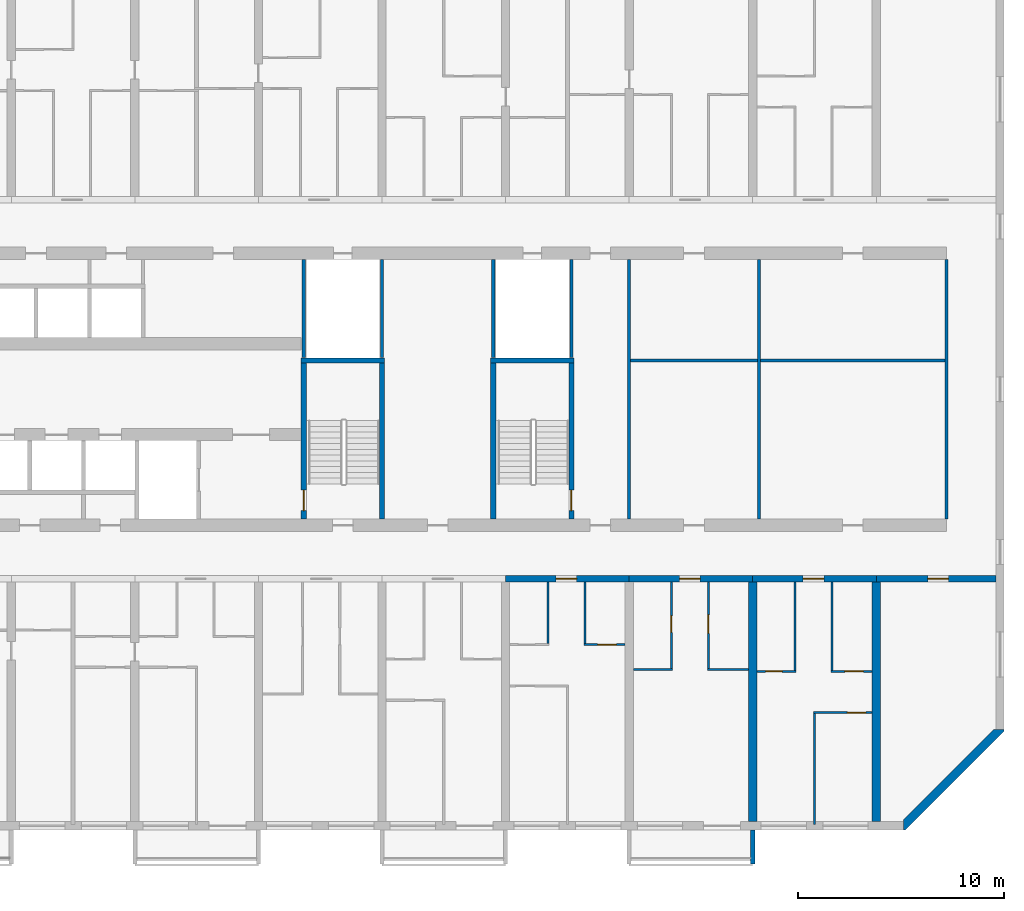
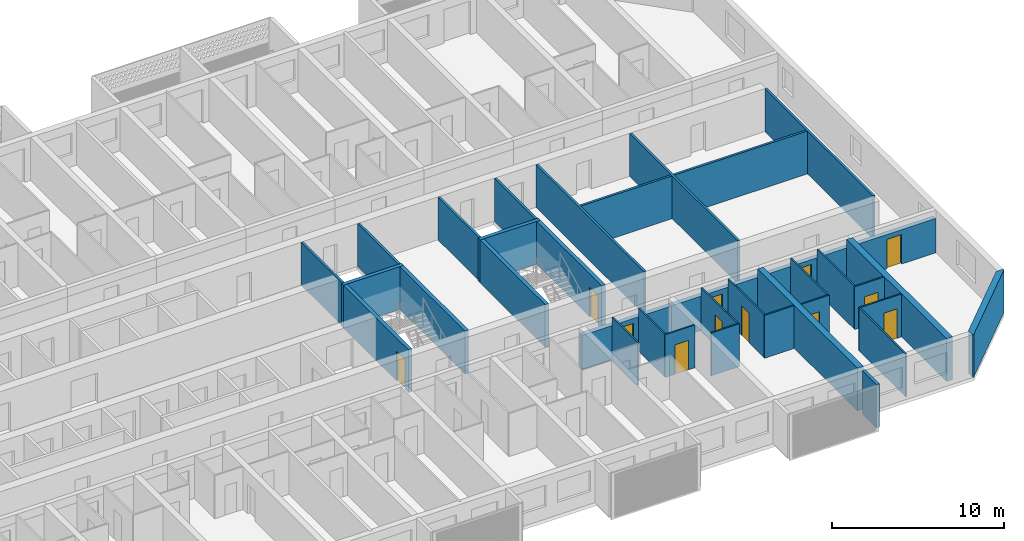
# One storey, part 15 of 38: 35 walls, 12 doors, 12 openings.
"""IFC4 building model written with IfcOpenShell, lengths in metres."""

from ifc_helpers import new_model, si_unit, direction, frame, frame_2d, origin, place, context, subcontext, project, spatial, polyline, rectangle, outline, extrude, source, transform, mapped, material, layer, layer_set, type_object, element, fill, save


model = new_model("IFC4")

# Units and contexts
model_context = context("Model", 3, precision=1e-05, world=origin(), true_north=direction((0.0, 1.0)))
body_context = subcontext(model_context, "Body", "Model", "MODEL_VIEW")
ifc_project = project(units=[si_unit("LENGTHUNIT", "METRE"), si_unit("AREAUNIT", "SQUARE_METRE"), si_unit("VOLUMEUNIT", "CUBIC_METRE"), si_unit("PLANEANGLEUNIT", "RADIAN"), si_unit("MASSUNIT", "GRAM", prefix="KILO")], contexts=[model_context])

# Site, building, storey
site_placement = place(None, origin())
site = spatial("IfcSite", under=ifc_project, at=site_placement, CompositionType="ELEMENT")
building_placement = place(site_placement, origin())
building = spatial("IfcBuilding", under=site, at=building_placement, Name="Poui Terraces", CompositionType="ELEMENT")
storey_placement = place(building_placement, frame((0.0, 0.0, 46.5)))
storey = spatial("IfcBuildingStorey", under=building, at=storey_placement, Name="L12", CompositionType="ELEMENT", Elevation=46.5)

# Walls
ifc_material_1 = material(Name="Fire-rated plasterboard wall")
ifc_layer_1 = layer(ifc_material_1, 0.14990234375)
ifc_layer_set_1 = layer_set([ifc_layer_1], Name="Fire-rated plasterboard wall")
wall_type_1 = type_object("IfcWallType", Name="CORRIDOR WALL 150", PredefinedType="PARTITIONING", material=ifc_layer_set_1)
for number, where, z_axis, x_axis, name in (
    (1, (84.0, 14.909912109375, 0.0), (0.0, 0.0, 1.0), (0.0, 1.0, 0.0), "CORRIDOR WALL 150"),
    (2, (99.39990234375, 14.909912109375, 0.0), (0.0, 0.0, 1.0), (0.0, 1.0, 0.0), "CORRIDOR WALL 150"),
):
    element("IfcWall", number, at=place(storey_placement, frame(where, z_axis=z_axis, x_axis=x_axis)), inside=storey, type_object=wall_type_1, Name=name, PredefinedType="PARTITIONING", context=body_context, shape_type="SweptSolid", body=[
        extrude(rectangle(XDim=12.580078125, YDim=0.14990234375, at=frame_2d((6.2900390625, 0.0))), origin(), (0.0, 0.0, 1.0), 3.050048828125),
    ])

# Wall, opening, door
ifc_material_2 = material(Name="Concrete 80 MPa", Category="concrete")
ifc_layer_2 = layer(ifc_material_2, 0.300048828125)
ifc_layer_set_2 = layer_set([ifc_layer_2], Name="Concrete 80 MPa")
wall_type_2 = type_object("IfcWallType", Name="CORRIDOR WALL 300 80MPa", PredefinedType="SHEAR", material=ifc_layer_set_2)
wall_1_placement = place(storey_placement, frame((78.0, 12.0, 0.0), z_axis=(0.0, 0.0, 1.0), x_axis=(1.0, 0.0, 0.0)))
wall_1 = element("IfcWall", 3, at=wall_1_placement, inside=storey, type_object=wall_type_2, Name="CORRIDOR WALL LINE B BAY 14", PredefinedType="SHEAR", context=body_context, shape_type="SweptSolid", body=[
    extrude(rectangle(XDim=6.0, YDim=0.300048828125, at=frame_2d((3.0, 0.0))), origin(), (0.0, 0.0, 1.0), 2.449951171875),
])
opening_1_placement = place(wall_1_placement, frame((2.449951171875, 0.0, 0.0)))
opening_1 = element("IfcOpeningElement", 4, at=opening_1_placement, cuts=wall_1, Name="Opening FD30S", PredefinedType="OPENING", context=body_context, shape_type="SweptSolid", body=[
    extrude(rectangle(XDim=1.0, YDim=2.10009765625, at=frame_2d((0.5, 1.050048828125))), frame((0.0, 0.16015625, 0.0), z_axis=(0.0, -1.0, 0.0), x_axis=(1.0, 0.0, 0.0)), (0.0, 0.0, 1.0), 0.320068359375),
])
ifc_material_3 = material(Name="Steel fire door", Category="steel")
door_type_1 = type_object("IfcDoorType", Name="FLAT ENTRANCE DOOR 1000 X 2100", OperationType="NOTDEFINED", PredefinedType="DOOR", material=ifc_material_3)
door_1_placement = place(opening_1_placement, frame((1.0, 0.0, 0.0), z_axis=(0.0, 0.0, 1.0), x_axis=(-1.0, 0.0, 0.0)))
door_1 = element("IfcDoor", 5, at=door_1_placement, inside=storey, type_object=door_type_1, Name="FLAT ENTRANCE DOOR 138", OperationType="SINGLE_SWING_RIGHT", OverallHeight=2.10009765625, OverallWidth=1.0, PredefinedType="DOOR", context=body_context, shape_type="SweptSolid", body=[
    extrude(rectangle(XDim=1.0, YDim=2.10009765625, at=frame_2d((0.5, 1.050048828125))), frame((0.0, 0.02490234375, 0.0), z_axis=(0.0, -1.0, 0.0), x_axis=(1.0, 0.0, 0.0)), (0.0, 0.0, 1.0), 0.050048828125),
])
fill(opening_1, door_1)

wall_2_placement = place(storey_placement, frame((84.0, 12.0, 0.0), z_axis=(0.0, 0.0, 1.0), x_axis=(1.0, 0.0, 0.0)))
wall_2 = element("IfcWall", 6, at=wall_2_placement, inside=storey, type_object=wall_type_2, Name="CORRIDOR WALL LINE B BAY 15", PredefinedType="SHEAR", context=body_context, shape_type="SweptSolid", body=[
    extrude(rectangle(XDim=6.0, YDim=0.300048828125, at=frame_2d((3.0, 0.0))), origin(), (0.0, 0.0, 1.0), 2.449951171875),
])
opening_2_placement = place(wall_2_placement, frame((2.449951171875, 0.0, 0.0)))
opening_2 = element("IfcOpeningElement", 7, at=opening_2_placement, cuts=wall_2, Name="Opening FD30S", PredefinedType="OPENING", context=body_context, shape_type="SweptSolid", body=[
    extrude(rectangle(XDim=1.0, YDim=2.10009765625, at=frame_2d((0.5, 1.050048828125))), frame((0.0, 0.16015625, 0.0), z_axis=(0.0, -1.0, 0.0), x_axis=(1.0, 0.0, 0.0)), (0.0, 0.0, 1.0), 0.320068359375),
])
door_2_placement = place(opening_2_placement, frame((1.0, 0.0, 0.0), z_axis=(0.0, 0.0, 1.0), x_axis=(-1.0, 0.0, 0.0)))
door_2 = element("IfcDoor", 8, at=door_2_placement, inside=storey, type_object=door_type_1, Name="FLAT ENTRANCE DOOR 141", OperationType="SINGLE_SWING_RIGHT", OverallHeight=2.10009765625, OverallWidth=1.0, PredefinedType="DOOR", context=body_context, shape_type="SweptSolid", body=[
    extrude(rectangle(XDim=1.0, YDim=2.10009765625, at=frame_2d((0.5, 1.050048828125))), frame((0.0, 0.02490234375, 0.0), z_axis=(0.0, -1.0, 0.0), x_axis=(1.0, 0.0, 0.0)), (0.0, 0.0, 1.0), 0.050048828125),
])
fill(opening_2, door_2)

wall_3_placement = place(storey_placement, frame((90.0, 12.0, 0.0), z_axis=(0.0, 0.0, 1.0), x_axis=(1.0, 0.0, 0.0)))
wall_3 = element("IfcWall", 9, at=wall_3_placement, inside=storey, type_object=wall_type_2, Name="CORRIDOR WALL LINE B BAY 16", PredefinedType="SHEAR", context=body_context, shape_type="SweptSolid", body=[
    extrude(rectangle(XDim=6.0, YDim=0.300048828125, at=frame_2d((3.0, 0.0))), origin(), (0.0, 0.0, 1.0), 2.449951171875),
])
opening_3_placement = place(wall_3_placement, frame((2.449951171875, 0.0, 0.0)))
opening_3 = element("IfcOpeningElement", 10, at=opening_3_placement, cuts=wall_3, Name="Opening FD30S", PredefinedType="OPENING", context=body_context, shape_type="SweptSolid", body=[
    extrude(rectangle(XDim=1.0, YDim=2.10009765625, at=frame_2d((0.5, 1.050048828125))), frame((0.0, 0.16015625, 0.0), z_axis=(0.0, -1.0, 0.0), x_axis=(1.0, 0.0, 0.0)), (0.0, 0.0, 1.0), 0.320068359375),
])
door_3_placement = place(opening_3_placement, frame((1.0, 0.0, 0.0), z_axis=(0.0, 0.0, 1.0), x_axis=(-1.0, 0.0, 0.0)))
door_3 = element("IfcDoor", 11, at=door_3_placement, inside=storey, type_object=door_type_1, Name="FLAT ENTRANCE DOOR 144", OperationType="SINGLE_SWING_RIGHT", OverallHeight=2.10009765625, OverallWidth=1.0, PredefinedType="DOOR", context=body_context, shape_type="SweptSolid", body=[
    extrude(rectangle(XDim=1.0, YDim=2.10009765625, at=frame_2d((0.5, 1.050048828125))), frame((0.0, 0.02490234375, 0.0), z_axis=(0.0, -1.0, 0.0), x_axis=(1.0, 0.0, 0.0)), (0.0, 0.0, 1.0), 0.050048828125),
])
fill(opening_3, door_3)

wall_4_placement = place(storey_placement, frame((96.0, 12.0, 0.0), z_axis=(0.0, 0.0, 1.0), x_axis=(1.0, 0.0, 0.0)))
wall_4 = element("IfcWall", 12, at=wall_4_placement, inside=storey, type_object=wall_type_2, Name="CORRIDOR WALL LINE B BAY 17", PredefinedType="SHEAR", context=body_context, shape_type="SweptSolid", body=[
    extrude(rectangle(XDim=5.800048828125, YDim=0.300048828125, at=frame_2d((2.89990234375, 0.0))), origin(), (0.0, 0.0, 1.0), 2.449951171875),
])
opening_4_placement = place(wall_4_placement, frame((2.5, 0.0, 0.0)))
opening_4 = element("IfcOpeningElement", 13, at=opening_4_placement, cuts=wall_4, Name="Opening D100", PredefinedType="OPENING", context=body_context, shape_type="SweptSolid", body=[
    extrude(rectangle(XDim=1.0, YDim=2.10009765625, at=frame_2d((0.5, 1.050048828125))), frame((0.0, 0.16015625, 0.0), z_axis=(0.0, -1.0, 0.0), x_axis=(1.0, 0.0, 0.0)), (0.0, 0.0, 1.0), 0.320068359375),
])
ifc_material_4 = material(Name="Solid core timber door", Category="wood")
door_type_2 = type_object("IfcDoorType", Name="ACCESSIBLE INTERNAL DOOR 1000 X 2100", OperationType="NOTDEFINED", PredefinedType="DOOR", material=ifc_material_4)
door_4_placement = place(opening_4_placement, frame((1.0, 0.0, 0.0), z_axis=(0.0, 0.0, 1.0), x_axis=(-1.0, 0.0, 0.0)))
door_4 = element("IfcDoor", 14, at=door_4_placement, inside=storey, type_object=door_type_2, Name="ACCESSIBLE INTERNAL DOOR 147", OperationType="SINGLE_SWING_RIGHT", OverallHeight=2.10009765625, OverallWidth=1.0, PredefinedType="DOOR", context=body_context, shape_type="SweptSolid", body=[
    extrude(rectangle(XDim=1.0, YDim=2.10009765625, at=frame_2d((0.5, 1.050048828125))), frame((0.0, 0.02490234375, 0.0), z_axis=(0.0, -1.0, 0.0), x_axis=(1.0, 0.0, 0.0)), (0.0, 0.0, 1.0), 0.050048828125),
])
fill(opening_4, door_4)

# Walls
ifc_layer_3 = layer(ifc_material_2, 0.39990234375)
ifc_layer_set_3 = layer_set([ifc_layer_3], Name="Concrete 80 MPa")
wall_type_3 = type_object("IfcWallType", Name="CROSS WALL 400 80MPa", PredefinedType="SHEAR", material=ifc_layer_set_3)
for number, where, z_axis, x_axis, name in (
    (15, (90.0, 0.199951171875, 0.0), (0.0, 0.0, 1.0), (0.0, 1.0, 0.0), "CROSS WALL LINE 16 SOUTH"),
    (16, (96.0, 0.199951171875, 0.0), (0.0, 0.0, 1.0), (0.0, 1.0, 0.0), "CROSS WALL LINE 17 SOUTH"),
):
    element("IfcWall", number, at=place(storey_placement, frame(where, z_axis=z_axis, x_axis=x_axis)), inside=storey, type_object=wall_type_3, Name=name, PredefinedType="SHEAR", context=body_context, shape_type="SweptSolid", body=[
        extrude(rectangle(XDim=11.650146484375, YDim=0.39990234375, at=frame_2d((5.8251953125, 0.0))), origin(), (0.0, 0.0, 1.0), 3.050048828125),
    ])

# Wall, opening, door
ifc_material_5 = material(Name="Plasterboard partition")
ifc_layer_4 = layer(ifc_material_5, 0.10009765625)
ifc_layer_set_4 = layer_set([ifc_layer_4], Name="Plasterboard partition")
wall_type_4 = type_object("IfcWallType", Name="FLAT PARTITION 100", PredefinedType="PARTITIONING", material=ifc_layer_set_4)
wall_5_placement = place(storey_placement, frame((92.949951171875, 5.5, 0.0), z_axis=(0.0, 0.0, 1.0), x_axis=(1.0, 0.0, 0.0)))
wall_5 = element("IfcWall", 17, at=wall_5_placement, inside=storey, type_object=wall_type_4, Name="FLAT PARTITION 100", PredefinedType="PARTITIONING", context=body_context, shape_type="SweptSolid", body=[
    extrude(rectangle(XDim=2.840087890625, YDim=0.10009765625, at=frame_2d((1.419921875, 0.0))), origin(), (0.0, 0.0, 1.0), 3.050048828125),
])
opening_5_placement = place(wall_5_placement, frame((1.64990234375, 0.0, 0.0)))
opening_5 = element("IfcOpeningElement", 18, at=opening_5_placement, cuts=wall_5, Name="Opening D90", PredefinedType="OPENING", context=body_context, shape_type="SweptSolid", body=[
    extrude(rectangle(XDim=0.89990234375, YDim=2.10009765625, at=frame_2d((0.449951171875, 1.050048828125))), frame((0.0, 0.06005859375, 0.0), z_axis=(0.0, -1.0, 0.0), x_axis=(1.0, 0.0, 0.0)), (0.0, 0.0, 1.0), 0.1201171875),
])
door_type_3 = type_object("IfcDoorType", Name="INTERNAL DOOR 900 X 2100", OperationType="NOTDEFINED", PredefinedType="DOOR", material=ifc_material_4)
door_5_placement = place(opening_5_placement, frame((0.89990234375, 0.0, 0.0), z_axis=(0.0, 0.0, 1.0), x_axis=(-1.0, 0.0, 0.0)))
door_5 = element("IfcDoor", 19, at=door_5_placement, inside=storey, type_object=door_type_3, Name="INTERNAL DOOR 146", OperationType="SINGLE_SWING_LEFT", OverallHeight=2.10009765625, OverallWidth=0.89990234375, PredefinedType="DOOR", context=body_context, shape_type="SweptSolid", body=[
    extrude(rectangle(XDim=0.89990234375, YDim=2.10009765625, at=frame_2d((0.449951171875, 1.050048828125))), frame((0.0, 0.02490234375, 0.0), z_axis=(0.0, -1.0, 0.0), x_axis=(1.0, 0.0, 0.0)), (0.0, 0.0, 1.0), 0.050048828125),
])
fill(opening_5, door_5)

wall_6_placement = place(storey_placement, frame((90.2099609375, 7.5, 0.0), z_axis=(0.0, 0.0, 1.0), x_axis=(1.0, 0.0, 0.0)))
wall_6 = element("IfcWall", 20, at=wall_6_placement, inside=storey, type_object=wall_type_4, Name="FLAT PARTITION 100", PredefinedType="PARTITIONING", context=body_context, shape_type="SweptSolid", body=[
    extrude(rectangle(XDim=1.89013671875, YDim=0.10009765625, at=frame_2d((0.945068359375, 0.0))), origin(), (0.0, 0.0, 1.0), 3.050048828125),
])
opening_6_placement = place(wall_6_placement, frame((0.4150390625, 0.0, 0.0)))
opening_6 = element("IfcOpeningElement", 21, at=opening_6_placement, cuts=wall_6, Name="Opening D80", PredefinedType="OPENING", context=body_context, shape_type="SweptSolid", body=[
    extrude(rectangle(XDim=0.800048828125, YDim=2.10009765625, at=frame_2d((0.39990234375, 1.050048828125))), frame((0.0, 0.06005859375, 0.0), z_axis=(0.0, -1.0, 0.0), x_axis=(1.0, 0.0, 0.0)), (0.0, 0.0, 1.0), 0.1201171875),
])
door_type_4 = type_object("IfcDoorType", Name="BATHROOM, LAUNDRY AND STORE DOOR 800 X 2100", OperationType="NOTDEFINED", PredefinedType="DOOR", material=ifc_material_4)
door_6_placement = place(opening_6_placement, origin())
door_6 = element("IfcDoor", 22, at=door_6_placement, inside=storey, type_object=door_type_4, Name="BATHROOM, LAUNDRY AND STORE DOOR 143", OperationType="SINGLE_SWING_LEFT", OverallHeight=2.10009765625, OverallWidth=0.800048828125, PredefinedType="DOOR", context=body_context, shape_type="SweptSolid", body=[
    extrude(rectangle(XDim=0.800048828125, YDim=2.10009765625, at=frame_2d((0.39990234375, 1.050048828125))), frame((0.0, 0.02490234375, 0.0), z_axis=(0.0, -1.0, 0.0), x_axis=(1.0, 0.0, 0.0)), (0.0, 0.0, 1.0), 0.050048828125),
])
fill(opening_6, door_6)

wall_7_placement = place(storey_placement, frame((93.800048828125, 7.5, 0.0), z_axis=(0.0, 0.0, 1.0), x_axis=(1.0, 0.0, 0.0)))
wall_7 = element("IfcWall", 23, at=wall_7_placement, inside=storey, type_object=wall_type_4, Name="FLAT PARTITION 100", PredefinedType="PARTITIONING", context=body_context, shape_type="SweptSolid", body=[
    extrude(rectangle(XDim=1.989990234375, YDim=0.10009765625, at=frame_2d((0.9951171875, 0.0))), origin(), (0.0, 0.0, 1.0), 3.050048828125),
])
opening_7_placement = place(wall_7_placement, frame((0.675048828125, 0.0, 0.0)))
opening_7 = element("IfcOpeningElement", 24, at=opening_7_placement, cuts=wall_7, Name="Opening D90", PredefinedType="OPENING", context=body_context, shape_type="SweptSolid", body=[
    extrude(rectangle(XDim=0.89990234375, YDim=2.10009765625, at=frame_2d((0.449951171875, 1.050048828125))), frame((0.0, 0.06005859375, 0.0), z_axis=(0.0, -1.0, 0.0), x_axis=(1.0, 0.0, 0.0)), (0.0, 0.0, 1.0), 0.1201171875),
])
door_7_placement = place(opening_7_placement, origin())
door_7 = element("IfcDoor", 25, at=door_7_placement, inside=storey, type_object=door_type_3, Name="INTERNAL DOOR 145", OperationType="SINGLE_SWING_RIGHT", OverallHeight=2.10009765625, OverallWidth=0.89990234375, PredefinedType="DOOR", context=body_context, shape_type="SweptSolid", body=[
    extrude(rectangle(XDim=0.89990234375, YDim=2.10009765625, at=frame_2d((0.449951171875, 1.050048828125))), frame((0.0, 0.02490234375, 0.0), z_axis=(0.0, -1.0, 0.0), x_axis=(1.0, 0.0, 0.0)), (0.0, 0.0, 1.0), 0.050048828125),
])
fill(opening_7, door_7)

# Walls
wall_8_placement = place(storey_placement, frame((84.2099609375, 7.60009765625, 0.0), z_axis=(0.0, 0.0, 1.0), x_axis=(1.0, 0.0, 0.0)))
element("IfcWall", 26, at=wall_8_placement, inside=storey, type_object=wall_type_4, Name="FLAT PARTITION 100", PredefinedType="PARTITIONING", context=body_context, shape_type="SweptSolid", body=[
    extrude(rectangle(XDim=1.89013671875, YDim=0.10009765625, at=frame_2d((0.945068359375, 0.0))), origin(), (0.0, 0.0, 1.0), 3.050048828125),
])
wall_9_placement = place(storey_placement, frame((87.800048828125, 7.60009765625, 0.0), z_axis=(0.0, 0.0, 1.0), x_axis=(1.0, 0.0, 0.0)))
element("IfcWall", 27, at=wall_9_placement, inside=storey, type_object=wall_type_4, Name="FLAT PARTITION 100", PredefinedType="PARTITIONING", context=body_context, shape_type="SweptSolid", body=[
    extrude(rectangle(XDim=1.989990234375, YDim=0.10009765625, at=frame_2d((0.9951171875, 0.0))), origin(), (0.0, 0.0, 1.0), 3.050048828125),
])

# Wall, opening, door
wall_10_placement = place(storey_placement, frame((81.800048828125, 8.800048828125, 0.0), z_axis=(0.0, 0.0, 1.0), x_axis=(1.0, 0.0, 0.0)))
wall_10 = element("IfcWall", 28, at=wall_10_placement, inside=storey, type_object=wall_type_4, Name="FLAT PARTITION 100", PredefinedType="PARTITIONING", context=body_context, shape_type="SweptSolid", body=[
    extrude(rectangle(XDim=1.989990234375, YDim=0.10009765625, at=frame_2d((0.9951171875, 0.0))), origin(), (0.0, 0.0, 1.0), 3.050048828125),
])
opening_8_placement = place(wall_10_placement, frame((0.675048828125, 0.0, 0.0)))
opening_8 = element("IfcOpeningElement", 29, at=opening_8_placement, cuts=wall_10, Name="Opening D90", PredefinedType="OPENING", context=body_context, shape_type="SweptSolid", body=[
    extrude(rectangle(XDim=0.89990234375, YDim=2.10009765625, at=frame_2d((0.449951171875, 1.050048828125))), frame((0.0, 0.06005859375, 0.0), z_axis=(0.0, -1.0, 0.0), x_axis=(1.0, 0.0, 0.0)), (0.0, 0.0, 1.0), 0.1201171875),
])
door_8_placement = place(opening_8_placement, origin())
door_8 = element("IfcDoor", 30, at=door_8_placement, inside=storey, type_object=door_type_3, Name="INTERNAL DOOR 139", OperationType="SINGLE_SWING_RIGHT", OverallHeight=2.10009765625, OverallWidth=0.89990234375, PredefinedType="DOOR", context=body_context, shape_type="SweptSolid", body=[
    extrude(rectangle(XDim=0.89990234375, YDim=2.10009765625, at=frame_2d((0.449951171875, 1.050048828125))), frame((0.0, 0.02490234375, 0.0), z_axis=(0.0, -1.0, 0.0), x_axis=(1.0, 0.0, 0.0)), (0.0, 0.0, 1.0), 0.050048828125),
])
fill(opening_8, door_8)

# Walls
for number, where, z_axis, x_axis, name in (
    (31, (80.050048828125, 8.85009765625, 0.0), (0.0, 0.0, 1.0), (0.0, 1.0, 0.0), "FLAT PARTITION 100"),
    (32, (81.85009765625, 8.85009765625, 0.0), (0.0, 0.0, 1.0), (0.0, 1.0, 0.0), "FLAT PARTITION 100"),
):
    element("IfcWall", number, at=place(storey_placement, frame(where, z_axis=z_axis, x_axis=x_axis)), inside=storey, type_object=wall_type_4, Name=name, PredefinedType="PARTITIONING", context=body_context, shape_type="SweptSolid", body=[
        extrude(rectangle(XDim=2.989990234375, YDim=0.10009765625, at=frame_2d((1.4951171875, 0.0))), origin(), (0.0, 0.0, 1.0), 3.050048828125),
    ])

# Wall, opening, door
wall_11_placement = place(storey_placement, frame((86.050048828125, 7.64990234375, 0.0), z_axis=(0.0, 0.0, 1.0), x_axis=(0.0, 1.0, 0.0)))
wall_11 = element("IfcWall", 33, at=wall_11_placement, inside=storey, type_object=wall_type_4, Name="FLAT PARTITION 100", PredefinedType="PARTITIONING", context=body_context, shape_type="SweptSolid", body=[
    extrude(rectangle(XDim=4.190185546875, YDim=0.10009765625, at=frame_2d((2.09521484375, 0.0))), origin(), (0.0, 0.0, 1.0), 3.050048828125),
])
opening_9_placement = place(wall_11_placement, frame((1.75, 0.0, 0.0)))
opening_9 = element("IfcOpeningElement", 34, at=opening_9_placement, cuts=wall_11, Name="Opening D80", PredefinedType="OPENING", context=body_context, shape_type="SweptSolid", body=[
    extrude(rectangle(XDim=0.800048828125, YDim=2.10009765625, at=frame_2d((0.39990234375, 1.050048828125))), frame((0.0, 0.06005859375, 0.0), z_axis=(0.0, -1.0, 0.0), x_axis=(1.0, 0.0, 0.0)), (0.0, 0.0, 1.0), 0.1201171875),
])
door_9_placement = place(opening_9_placement, origin())
door_9 = element("IfcDoor", 35, at=door_9_placement, inside=storey, type_object=door_type_4, Name="BATHROOM, LAUNDRY AND STORE DOOR 140", OperationType="SINGLE_SWING_LEFT", OverallHeight=2.10009765625, OverallWidth=0.800048828125, PredefinedType="DOOR", context=body_context, shape_type="SweptSolid", body=[
    extrude(rectangle(XDim=0.800048828125, YDim=2.10009765625, at=frame_2d((0.39990234375, 1.050048828125))), frame((0.0, 0.02490234375, 0.0), z_axis=(0.0, -1.0, 0.0), x_axis=(1.0, 0.0, 0.0)), (0.0, 0.0, 1.0), 0.050048828125),
])
fill(opening_9, door_9)

wall_12_placement = place(storey_placement, frame((87.85009765625, 7.64990234375, 0.0), z_axis=(0.0, 0.0, 1.0), x_axis=(0.0, 1.0, 0.0)))
wall_12 = element("IfcWall", 36, at=wall_12_placement, inside=storey, type_object=wall_type_4, Name="FLAT PARTITION 100", PredefinedType="PARTITIONING", context=body_context, shape_type="SweptSolid", body=[
    extrude(rectangle(XDim=4.190185546875, YDim=0.10009765625, at=frame_2d((2.09521484375, 0.0))), origin(), (0.0, 0.0, 1.0), 3.050048828125),
])
opening_10_placement = place(wall_12_placement, frame((1.699951171875, 0.0, 0.0)))
opening_10 = element("IfcOpeningElement", 37, at=opening_10_placement, cuts=wall_12, Name="Opening D90", PredefinedType="OPENING", context=body_context, shape_type="SweptSolid", body=[
    extrude(rectangle(XDim=0.89990234375, YDim=2.10009765625, at=frame_2d((0.449951171875, 1.050048828125))), frame((0.0, 0.06005859375, 0.0), z_axis=(0.0, -1.0, 0.0), x_axis=(1.0, 0.0, 0.0)), (0.0, 0.0, 1.0), 0.1201171875),
])
door_10_placement = place(opening_10_placement, frame((0.89990234375, 0.0, 0.0), z_axis=(0.0, 0.0, 1.0), x_axis=(-1.0, 0.0, 0.0)))
door_10 = element("IfcDoor", 38, at=door_10_placement, inside=storey, type_object=door_type_3, Name="INTERNAL DOOR 142", OperationType="SINGLE_SWING_LEFT", OverallHeight=2.10009765625, OverallWidth=0.89990234375, PredefinedType="DOOR", context=body_context, shape_type="SweptSolid", body=[
    extrude(rectangle(XDim=0.89990234375, YDim=2.10009765625, at=frame_2d((0.449951171875, 1.050048828125))), frame((0.0, 0.02490234375, 0.0), z_axis=(0.0, -1.0, 0.0), x_axis=(1.0, 0.0, 0.0)), (0.0, 0.0, 1.0), 0.050048828125),
])
fill(opening_10, door_10)

# Walls
wall_13_placement = place(storey_placement, frame((92.050048828125, 7.550048828125, 0.0), z_axis=(0.0, 0.0, 1.0), x_axis=(0.0, 1.0, 0.0)))
element("IfcWall", 39, at=wall_13_placement, inside=storey, type_object=wall_type_4, Name="FLAT PARTITION 100", PredefinedType="PARTITIONING", context=body_context, shape_type="SweptSolid", body=[
    extrude(rectangle(XDim=4.2900390625, YDim=0.10009765625, at=frame_2d((2.14501953125, 0.0))), origin(), (0.0, 0.0, 1.0), 3.050048828125),
])
wall_14_placement = place(storey_placement, frame((93.0, 0.06005859375, 0.0), z_axis=(0.0, 0.0, 1.0), x_axis=(0.0, 1.0, 0.0)))
element("IfcWall", 40, at=wall_14_placement, inside=storey, type_object=wall_type_4, Name="FLAT PARTITION 100", PredefinedType="PARTITIONING", context=body_context, shape_type="SweptSolid", body=[
    extrude(rectangle(XDim=5.389892578125, YDim=0.10009765625, at=frame_2d((2.69482421875, 0.0))), origin(), (0.0, 0.0, 1.0), 3.050048828125),
])
wall_15_placement = place(storey_placement, frame((93.85009765625, 7.550048828125, 0.0), z_axis=(0.0, 0.0, 1.0), x_axis=(0.0, 1.0, 0.0)))
element("IfcWall", 41, at=wall_15_placement, inside=storey, type_object=wall_type_4, Name="FLAT PARTITION 100", PredefinedType="PARTITIONING", context=body_context, shape_type="SweptSolid", body=[
    extrude(rectangle(XDim=4.2900390625, YDim=0.10009765625, at=frame_2d((2.14501953125, 0.0))), origin(), (0.0, 0.0, 1.0), 3.050048828125),
])
ifc_layer_5 = layer(ifc_material_5, 0.14990234375)
ifc_layer_set_5 = layer_set([ifc_layer_5], Name="Plasterboard partition")
wall_type_5 = type_object("IfcWallType", Name="PARTITION WALL 150", PredefinedType="PARTITIONING", material=ifc_layer_set_5)
wall_16_placement = place(storey_placement, frame((84.074951171875, 22.60009765625, 0.0), z_axis=(0.0, 0.0, 1.0), x_axis=(1.0, 0.0, 0.0)))
element("IfcWall", 42, at=wall_16_placement, inside=storey, type_object=wall_type_5, Name="PARTITION WALL 150", PredefinedType="PARTITIONING", context=body_context, shape_type="SweptSolid", body=[
    extrude(rectangle(XDim=15.25, YDim=0.14990234375, at=frame_2d((7.625, 0.0))), origin(), (0.0, 0.0, 1.0), 3.050048828125),
])
wall_17_placement = place(storey_placement, frame((90.300048828125, 14.909912109375, 0.0), z_axis=(0.0, 0.0, 1.0), x_axis=(0.0, 1.0, 0.0)))
element("IfcWall", 43, at=wall_17_placement, inside=storey, type_object=wall_type_5, Name="PARTITION WALL 150", PredefinedType="PARTITIONING", context=body_context, shape_type="SweptSolid", body=[
    extrude(rectangle(XDim=12.580078125, YDim=0.14990234375, at=frame_2d((6.2900390625, 0.0))), origin(), (0.0, 0.0, 1.0), 3.050048828125),
])
ifc_material_6 = material(Name="Fire-rated plasterboard riser wall")
ifc_layer_6 = layer(ifc_material_6, 0.14990234375)
ifc_layer_set_6 = layer_set([ifc_layer_6], Name="Fire-rated plasterboard riser wall")
wall_type_6 = type_object("IfcWallType", Name="RISER WALL 150", PredefinedType="PARTITIONING", material=ifc_layer_set_6)
for number, where, z_axis, x_axis, name in (
    (44, (68.199951171875, 22.735107421875, 0.0), (0.0, 0.0, 1.0), (0.0, 1.0, 0.0), "RISER WALL 150"),
    (45, (72.0, 22.735107421875, 0.0), (0.0, 0.0, 1.0), (0.0, 1.0, 0.0), "RISER WALL 150"),
    (46, (77.39990234375, 22.735107421875, 0.0), (0.0, 0.0, 1.0), (0.0, 1.0, 0.0), "RISER WALL 150"),
    (47, (81.199951171875, 22.735107421875, 0.0), (0.0, 0.0, 1.0), (0.0, 1.0, 0.0), "RISER WALL 150"),
):
    element("IfcWall", number, at=place(storey_placement, frame(where, z_axis=z_axis, x_axis=x_axis)), inside=storey, type_object=wall_type_6, Name=name, PredefinedType="PARTITIONING", context=body_context, shape_type="SweptSolid", body=[
        extrude(rectangle(XDim=4.7548828125, YDim=0.14990234375, at=frame_2d((2.37744140625, 0.0))), origin(), (0.0, 0.0, 1.0), 3.050048828125),
    ])

# Wall, opening, door
ifc_layer_7 = layer(ifc_material_2, 0.25)
ifc_layer_set_7 = layer_set([ifc_layer_7], Name="Concrete 80 MPa")
wall_type_7 = type_object("IfcWallType", Name="STAIR CORE WALL 250 80 MPA", PredefinedType="SOLIDWALL", material=ifc_layer_set_7)
wall_18_placement = place(storey_placement, frame((68.199951171875, 14.89990234375, 0.0), z_axis=(0.0, 0.0, 1.0), x_axis=(0.0, 1.0, 0.0)))
wall_18 = element("IfcWall", 48, at=wall_18_placement, inside=storey, type_object=wall_type_7, Name="STAIR CORE WALL", PredefinedType="SOLIDWALL", context=body_context, shape_type="SweptSolid", body=[
    extrude(rectangle(XDim=7.5751953125, YDim=0.25, at=frame_2d((3.78759765625, 0.0))), origin(), (0.0, 0.0, 1.0), 3.050048828125),
])
opening_11_placement = place(wall_18_placement, frame((0.39990234375, 0.0, 0.0)))
opening_11 = element("IfcOpeningElement", 49, at=opening_11_placement, cuts=wall_18, Name="Opening FD60S", PredefinedType="OPENING", context=body_context, shape_type="SweptSolid", body=[
    extrude(rectangle(XDim=1.0, YDim=2.10009765625, at=frame_2d((0.5, 1.050048828125))), frame((0.0, 0.135009765625, 0.0), z_axis=(0.0, -1.0, 0.0), x_axis=(1.0, 0.0, 0.0)), (0.0, 0.0, 1.0), 0.27001953125),
])
door_type_5 = type_object("IfcDoorType", Name="STAIR DOOR 1000 X 2100", OperationType="NOTDEFINED", PredefinedType="DOOR", material=ifc_material_3)
door_11_placement = place(opening_11_placement, frame((1.0, 0.0, 0.0), z_axis=(0.0, 0.0, 1.0), x_axis=(-1.0, 0.0, 0.0)))
door_11 = element("IfcDoor", 50, at=door_11_placement, inside=storey, type_object=door_type_5, Name="STAIR DOOR 149", OperationType="SINGLE_SWING_LEFT", OverallHeight=2.10009765625, OverallWidth=1.0, PredefinedType="DOOR", context=body_context, shape_type="SweptSolid", body=[
    extrude(rectangle(XDim=1.0, YDim=2.10009765625, at=frame_2d((0.5, 1.050048828125))), frame((0.0, 0.02490234375, 0.0), z_axis=(0.0, -1.0, 0.0), x_axis=(1.0, 0.0, 0.0)), (0.0, 0.0, 1.0), 0.050048828125),
])
fill(opening_11, door_11)

# Walls
wall_19_placement = place(storey_placement, frame((72.0, 14.89990234375, 0.0), z_axis=(0.0, 0.0, 1.0), x_axis=(0.0, 1.0, 0.0)))
element("IfcWall", 51, at=wall_19_placement, inside=storey, type_object=wall_type_7, Name="STAIR CORE WALL", PredefinedType="SOLIDWALL", context=body_context, shape_type="SweptSolid", body=[
    extrude(rectangle(XDim=7.5751953125, YDim=0.25, at=frame_2d((3.78759765625, 0.0))), origin(), (0.0, 0.0, 1.0), 3.050048828125),
])
wall_20_placement = place(storey_placement, frame((68.074951171875, 22.60009765625, 0.0), z_axis=(0.0, 0.0, 1.0), x_axis=(1.0, 0.0, 0.0)))
element("IfcWall", 52, at=wall_20_placement, inside=storey, type_object=wall_type_7, Name="STAIR CORE WALL", PredefinedType="SOLIDWALL", context=body_context, shape_type="SweptSolid", body=[
    extrude(rectangle(XDim=4.050048828125, YDim=0.25, at=frame_2d((2.02490234375, 0.0))), origin(), (0.0, 0.0, 1.0), 3.050048828125),
])
wall_21_placement = place(storey_placement, frame((77.39990234375, 14.89990234375, 0.0), z_axis=(0.0, 0.0, 1.0), x_axis=(0.0, 1.0, 0.0)))
element("IfcWall", 53, at=wall_21_placement, inside=storey, type_object=wall_type_7, Name="STAIR CORE WALL", PredefinedType="SOLIDWALL", context=body_context, shape_type="SweptSolid", body=[
    extrude(rectangle(XDim=7.5751953125, YDim=0.25, at=frame_2d((3.78759765625, 0.0))), origin(), (0.0, 0.0, 1.0), 3.050048828125),
])

# Wall, opening, door
wall_22_placement = place(storey_placement, frame((81.199951171875, 14.89990234375, 0.0), z_axis=(0.0, 0.0, 1.0), x_axis=(0.0, 1.0, 0.0)))
wall_22 = element("IfcWall", 54, at=wall_22_placement, inside=storey, type_object=wall_type_7, Name="STAIR CORE WALL", PredefinedType="SOLIDWALL", context=body_context, shape_type="SweptSolid", body=[
    extrude(rectangle(XDim=7.5751953125, YDim=0.25, at=frame_2d((3.78759765625, 0.0))), origin(), (0.0, 0.0, 1.0), 3.050048828125),
])
opening_12_placement = place(wall_22_placement, frame((0.39990234375, 0.0, 0.0)))
opening_12 = element("IfcOpeningElement", 55, at=opening_12_placement, cuts=wall_22, Name="Opening FD60S", PredefinedType="OPENING", context=body_context, shape_type="SweptSolid", body=[
    extrude(rectangle(XDim=1.0, YDim=2.10009765625, at=frame_2d((0.5, 1.050048828125))), frame((0.0, 0.135009765625, 0.0), z_axis=(0.0, -1.0, 0.0), x_axis=(1.0, 0.0, 0.0)), (0.0, 0.0, 1.0), 0.27001953125),
])
door_12_placement = place(opening_12_placement, origin())
door_12 = element("IfcDoor", 56, at=door_12_placement, inside=storey, type_object=door_type_5, Name="STAIR DOOR 163", OperationType="SINGLE_SWING_LEFT", OverallHeight=2.10009765625, OverallWidth=1.0, PredefinedType="DOOR", context=body_context, shape_type="SweptSolid", body=[
    extrude(rectangle(XDim=1.0, YDim=2.10009765625, at=frame_2d((0.5, 1.050048828125))), frame((0.0, 0.02490234375, 0.0), z_axis=(0.0, -1.0, 0.0), x_axis=(1.0, 0.0, 0.0)), (0.0, 0.0, 1.0), 0.050048828125),
])
fill(opening_12, door_12)

# Walls
wall_23_placement = place(storey_placement, frame((77.27490234375, 22.60009765625, 0.0), z_axis=(0.0, 0.0, 1.0), x_axis=(1.0, 0.0, 0.0)))
element("IfcWall", 57, at=wall_23_placement, inside=storey, type_object=wall_type_7, Name="STAIR CORE WALL", PredefinedType="SOLIDWALL", context=body_context, shape_type="SweptSolid", body=[
    extrude(rectangle(XDim=4.050048828125, YDim=0.25, at=frame_2d((2.02490234375, 0.0))), origin(), (0.0, 0.0, 1.0), 3.050048828125),
])
ifc_material_7 = material(Name="Precast concrete 40 MPa", Category="concrete")
ifc_layer_8 = layer(ifc_material_7, 0.39990234375)
ifc_layer_set_8 = layer_set([ifc_layer_8], Name="Precast concrete 40 MPa")
wall_type_8 = type_object("IfcWallType", Name="TERRACOTTA CLAD CHAMFER WALL 400", PredefinedType="STANDARD", material=ifc_layer_set_8)
wall_24_placement = place(storey_placement, origin())
element("IfcWall", 58, at=wall_24_placement, inside=storey, type_object=wall_type_8, Name="CHAMFER WALL CH01", PredefinedType="STANDARD", context=body_context, shape_type="SweptSolid", body=[
    extrude(outline(polyline([(97.317138671875, -0.199951171875), (97.39990234375, -0.199951171875), (102.199951171875, 4.60009765625), (102.199951171875, 4.682861328125), (101.71728515625, 4.682861328125), (97.317138671875, 0.28271484375), (97.317138671875, -0.199951171875)])), origin(), (0.0, 0.0, 1.0), 3.050048828125),
])
ifc_layer_9 = layer(ifc_material_7, 0.199951171875)
ifc_layer_set_9 = layer_set([ifc_layer_9], Name="Precast concrete 40 MPa")
wall_type_9 = type_object("IfcWallType", Name="REAR FIN 200", PredefinedType="STANDARD", material=ifc_layer_set_9)
shared_shape = source(origin(), body_context, "Body", "SweptSolid", [
    extrude(outline(polyline([(0.0, 0.0), (0.2001953125, 0.0), (0.2001953125, 1.650146484375), (0.0, 1.650146484375), (0.0, 0.0)])), origin(), (0.0, 0.0, 1.0), 3.10009765625),
])
wall_25_placement = place(storey_placement, frame((89.89990234375, -1.85009765625, 0.0)))
element("IfcWall", 59, at=wall_25_placement, inside=storey, type_object=wall_type_9, Name="REAR FIN", PredefinedType="STANDARD", context=body_context, shape_type="MappedRepresentation", body=[
    mapped(shared_shape, transform((0.0, 0.0, 0.0))),
])

save(model, "model.ifc")
